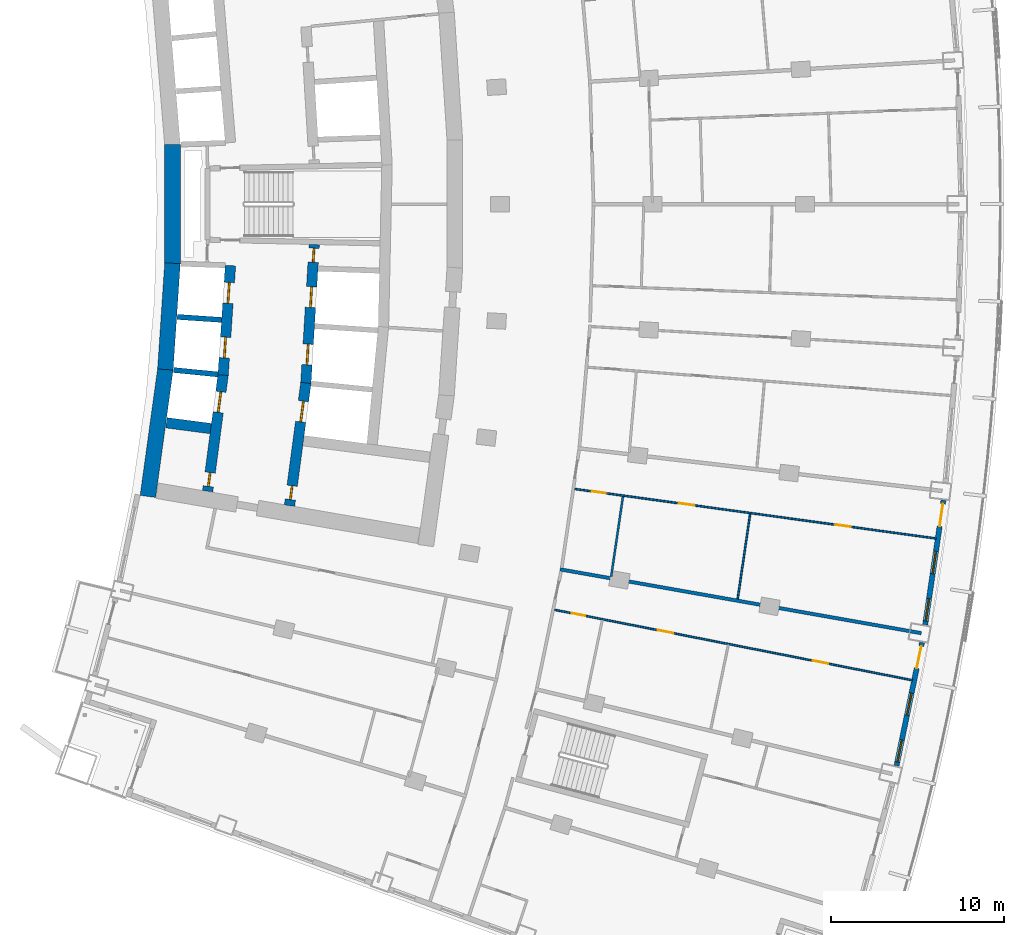
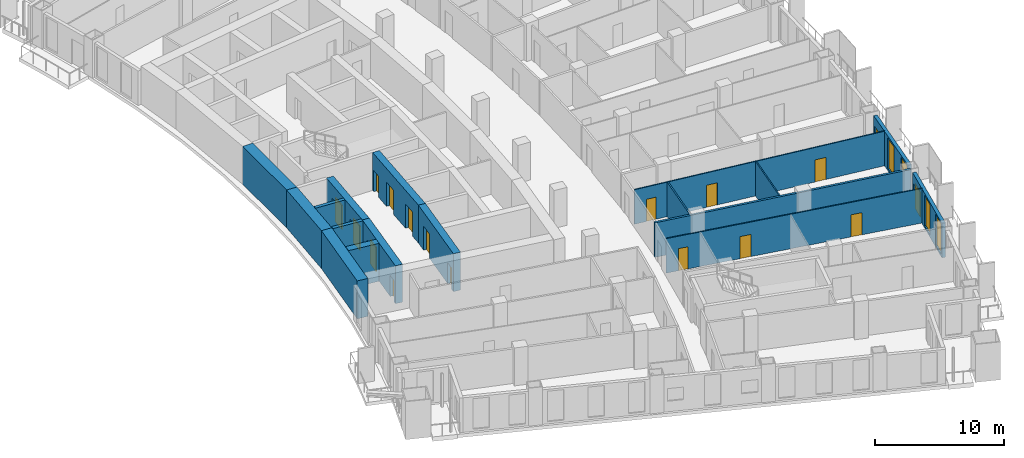
# One storey, part 15 of 25: 17 doors, 17 walls, 4 windows, 21 openings.
"""IFC4 building model written with IfcOpenShell, lengths in metres."""

from ifc_helpers import new_model, si_unit, direction, frame, frame_2d, origin, place, context, subcontext, project, spatial, rectangle, extrude, material, layer, layer_set, type_object, element, fill, save


model = new_model("IFC4")

# Units and contexts
model_context = context("Model", 3, precision=1e-05, world=origin(), true_north=direction((0.0, 1.0)))
body_context = subcontext(model_context, "Body", "Model", "MODEL_VIEW")
ifc_project = project(units=[si_unit("LENGTHUNIT", "METRE"), si_unit("AREAUNIT", "SQUARE_METRE"), si_unit("VOLUMEUNIT", "CUBIC_METRE"), si_unit("PLANEANGLEUNIT", "RADIAN"), si_unit("MASSUNIT", "GRAM", prefix="KILO")], contexts=[model_context])

# Site, building, storey
site_placement = place(None, origin())
site = spatial("IfcSite", under=ifc_project, at=site_placement, CompositionType="ELEMENT")
building_placement = place(site_placement, origin())
building = spatial("IfcBuilding", under=site, at=building_placement, Name="Alderwake Tower", CompositionType="ELEMENT")
storey_placement = place(building_placement, frame((0.0, 0.0, 68.0)))
storey = spatial("IfcBuildingStorey", under=building, at=storey_placement, Name="L16", CompositionType="ELEMENT", Elevation=68.0)

# Walls
ifc_material_1 = material(Name="Concrete C70/85", Category="concrete")
ifc_layer_1 = layer(ifc_material_1, 0.89990234375)
ifc_layer_set_1 = layer_set([ifc_layer_1], Name="Core wall outer 900 C70-85")
wall_type_1 = type_object("IfcWallType", Name="Core wall outer 900 C70-85", PredefinedType="SHEAR", material=ifc_layer_set_1)
wall_1_placement = place(storey_placement, frame((15.46923828125, 44.1201171875, 0.0), z_axis=(0.0, 0.0, 1.0), x_axis=(0.136337234661, 0.990662484626, 0.0)))
element("IfcWall", 1, at=wall_1_placement, inside=storey, type_object=wall_type_1, Name="Core wall CW.042", PredefinedType="SHEAR", context=body_context, shape_type="SweptSolid", body=[
    extrude(rectangle(XDim=7.431396484375, YDim=0.89990234375, at=frame_2d((3.7158203125, 0.0))), origin(), (0.0, 0.0, 1.0), 3.60009765625),
])
wall_2_placement = place(storey_placement, frame((16.47900390625, 51.449951171875, 0.0), z_axis=(0.0, 0.0, 1.0), x_axis=(0.06689316208, 0.997760143956, 0.0)))
element("IfcWall", 2, at=wall_2_placement, inside=storey, type_object=wall_type_1, Name="Core wall CW.041", PredefinedType="SHEAR", context=body_context, shape_type="SweptSolid", body=[
    extrude(rectangle(XDim=6.149658203125, YDim=0.89990234375, at=frame_2d((3.07470703125, 0.0))), origin(), (0.0, 0.0, 1.0), 3.60009765625),
])
wall_3_placement = place(storey_placement, frame((16.889404296875, 57.5546875, 0.0), z_axis=(0.0, 0.0, 1.0), x_axis=(0.0, 1.0, 0.0)))
element("IfcWall", 3, at=wall_3_placement, inside=storey, type_object=wall_type_1, Name="Core wall CW.043", PredefinedType="SHEAR", context=body_context, shape_type="SweptSolid", body=[
    extrude(rectangle(XDim=6.89404296875, YDim=0.89990234375, at=frame_2d((3.447021484375, 0.0))), origin(), (0.0, 0.0, 1.0), 3.60009765625),
])
ifc_material_2 = material(Name="Concrete C70/85", Category="concrete")
ifc_layer_2 = layer(ifc_material_2, 0.300048828125)
ifc_layer_set_2 = layer_set([ifc_layer_2], Name="Core wall shaft 300 C70-85")
wall_type_2 = type_object("IfcWallType", Name="Core wall shaft 300 C70-85", PredefinedType="SHEAR", material=ifc_layer_set_2)
wall_4_placement = place(storey_placement, frame((16.9580078125, 51.4189453125, 0.0), z_axis=(0.0, 0.0, 1.0), x_axis=(0.995153154577, -0.098337169657, 0.0)))
element("IfcWall", 4, at=wall_4_placement, inside=storey, type_object=wall_type_2, Name="Core wall CW.065", PredefinedType="SHEAR", context=body_context, shape_type="SweptSolid", body=[
    extrude(rectangle(XDim=2.569580078125, YDim=0.300048828125, at=frame_2d((1.28466796875, 0.0))), origin(), (0.0, 0.0, 1.0), 3.60009765625),
])
wall_5_placement = place(storey_placement, frame((17.16357421875, 54.486083984375, 0.0), z_axis=(0.0, 0.0, 1.0), x_axis=(0.997758581961, -0.066916456292, 0.0)))
element("IfcWall", 5, at=wall_5_placement, inside=storey, type_object=wall_type_2, Name="Core wall CW.079", PredefinedType="SHEAR", context=body_context, shape_type="SweptSolid", body=[
    extrude(rectangle(XDim=2.568603515625, YDim=0.300048828125, at=frame_2d((1.2841796875, 0.0))), origin(), (0.0, 0.0, 1.0), 3.60009765625),
])

# Wall, openings, doors
ifc_material_3 = material(Name="Concrete C70/85", Category="concrete")
ifc_layer_3 = layer(ifc_material_3, 0.60009765625)
ifc_layer_set_3 = layer_set([ifc_layer_3], Name="Core wall spine 600 C70-85")
wall_type_3 = type_object("IfcWallType", Name="Core wall spine 600 C70-85", PredefinedType="SHEAR", material=ifc_layer_set_3)
wall_6_placement = place(storey_placement, frame((19.815185546875, 51.14697265625, 0.0), z_axis=(0.0, 0.0, 1.0), x_axis=(-0.131854836214, -0.991269036219, 0.0)))
wall_6 = element("IfcWall", 6, at=wall_6_placement, inside=storey, type_object=wall_type_3, Name="Core wall CW.033", PredefinedType="SHEAR", context=body_context, shape_type="SweptSolid", body=[
    extrude(rectangle(XDim=6.782470703125, YDim=0.60009765625, at=frame_2d((3.39111328125, 0.0))), origin(), (0.0, 0.0, 1.0), 3.60009765625),
])
opening_1_placement = place(wall_6_placement, frame((0.9921875, 0.0, 0.0)))
opening_1 = element("IfcOpeningElement", 7, at=opening_1_placement, cuts=wall_6, Name="Opening LD-LP1", PredefinedType="OPENING", context=body_context, shape_type="SweptSolid", body=[
    extrude(rectangle(XDim=1.199951171875, YDim=2.300048828125, at=frame_2d((0.60009765625, 1.14990234375))), frame((0.0, 0.31005859375, 0.0), z_axis=(0.0, -1.0, 0.0), x_axis=(1.0, 0.0, 0.0)), (0.0, 0.0, 1.0), 0.6201171875),
])
opening_2_placement = place(wall_6_placement, frame((5.699951171875, 0.0, 0.0)))
opening_2 = element("IfcOpeningElement", 8, at=opening_2_placement, cuts=wall_6, Name="Opening C007", PredefinedType="OPENING", context=body_context, shape_type="SweptSolid", body=[
    extrude(rectangle(XDim=0.800048828125, YDim=2.0, at=frame_2d((0.39990234375, 1.0))), frame((0.0, 0.31005859375, 0.0), z_axis=(0.0, -1.0, 0.0), x_axis=(1.0, 0.0, 0.0)), (0.0, 0.0, 1.0), 0.6201171875),
])
ifc_material_4 = material(Name="Stainless steel sliding leaf", Category="steel")
door_type_1 = type_object("IfcDoorType", Name="Lift landing door 1200", OperationType="SLIDING_TO_LEFT", PredefinedType="DOOR", material=ifc_material_4)
door_1_placement = place(opening_1_placement, origin())
door_1 = element("IfcDoor", 9, at=door_1_placement, inside=storey, type_object=door_type_1, Name="Lift landing door LP1", OperationType="SLIDING_TO_LEFT", OverallHeight=2.300048828125, OverallWidth=1.199951171875, PredefinedType="DOOR", context=body_context, shape_type="SweptSolid", body=[
    extrude(rectangle(XDim=1.199951171875, YDim=2.300048828125, at=frame_2d((0.60009765625, 1.14990234375))), frame((0.0, 0.050048828125, 0.0), z_axis=(0.0, -1.0, 0.0), x_axis=(1.0, 0.0, 0.0)), (0.0, 0.0, 1.0), 0.10009765625),
])
fill(opening_1, door_1)
ifc_material_5 = material(Name="Painted steel leaf, rated", Category="steel")
door_type_2 = type_object("IfcDoorType", Name="Riser access door 800", OperationType="SINGLE_SWING_LEFT", PredefinedType="DOOR", material=ifc_material_5)
door_2_placement = place(opening_2_placement, origin())
door_2 = element("IfcDoor", 10, at=door_2_placement, inside=storey, type_object=door_type_2, Name="Riser access door", OperationType="SINGLE_SWING_LEFT", OverallHeight=2.0, OverallWidth=0.800048828125, PredefinedType="DOOR", context=body_context, shape_type="SweptSolid", body=[
    extrude(rectangle(XDim=0.800048828125, YDim=2.0, at=frame_2d((0.39990234375, 1.0))), frame((0.0, 0.050048828125, 0.0), z_axis=(0.0, -1.0, 0.0), x_axis=(1.0, 0.0, 0.0)), (0.0, 0.0, 1.0), 0.10009765625),
])
fill(opening_2, door_2)

wall_7_placement = place(storey_placement, frame((19.813232421875, 51.12646484375, 0.0), z_axis=(0.0, 0.0, 1.0), x_axis=(0.066892179723, 0.997760209816, 0.0)))
wall_7 = element("IfcWall", 11, at=wall_7_placement, inside=storey, type_object=wall_type_3, Name="Core wall CW.032", PredefinedType="SHEAR", context=body_context, shape_type="SweptSolid", body=[
    extrude(rectangle(XDim=6.339599609375, YDim=0.60009765625, at=frame_2d((3.169921875, 0.0))), origin(), (0.0, 0.0, 1.0), 3.60009765625),
])
opening_3_placement = place(wall_7_placement, frame((0.992431640625, 0.0, 0.0)))
opening_3 = element("IfcOpeningElement", 12, at=opening_3_placement, cuts=wall_7, Name="Opening LD-LP2", PredefinedType="OPENING", context=body_context, shape_type="SweptSolid", body=[
    extrude(rectangle(XDim=1.199951171875, YDim=2.300048828125, at=frame_2d((0.60009765625, 1.14990234375))), frame((0.0, 0.31005859375, 0.0), z_axis=(0.0, -1.0, 0.0), x_axis=(1.0, 0.0, 0.0)), (0.0, 0.0, 1.0), 0.6201171875),
])
opening_4_placement = place(wall_7_placement, frame((4.157470703125, 0.0, 0.0)))
opening_4 = element("IfcOpeningElement", 13, at=opening_4_placement, cuts=wall_7, Name="Opening LD-LP3", PredefinedType="OPENING", context=body_context, shape_type="SweptSolid", body=[
    extrude(rectangle(XDim=1.199951171875, YDim=2.300048828125, at=frame_2d((0.60009765625, 1.14990234375))), frame((0.0, 0.31005859375, 0.0), z_axis=(0.0, -1.0, 0.0), x_axis=(1.0, 0.0, 0.0)), (0.0, 0.0, 1.0), 0.6201171875),
])
door_3_placement = place(opening_3_placement, origin())
door_3 = element("IfcDoor", 14, at=door_3_placement, inside=storey, type_object=door_type_1, Name="Lift landing door LP2", OperationType="SLIDING_TO_LEFT", OverallHeight=2.300048828125, OverallWidth=1.199951171875, PredefinedType="DOOR", context=body_context, shape_type="SweptSolid", body=[
    extrude(rectangle(XDim=1.199951171875, YDim=2.300048828125, at=frame_2d((0.60009765625, 1.14990234375))), frame((0.0, 0.050048828125, 0.0), z_axis=(0.0, -1.0, 0.0), x_axis=(1.0, 0.0, 0.0)), (0.0, 0.0, 1.0), 0.10009765625),
])
fill(opening_3, door_3)
door_4_placement = place(opening_4_placement, origin())
door_4 = element("IfcDoor", 15, at=door_4_placement, inside=storey, type_object=door_type_1, Name="Lift landing door LP3", OperationType="SLIDING_TO_LEFT", OverallHeight=2.300048828125, OverallWidth=1.199951171875, PredefinedType="DOOR", context=body_context, shape_type="SweptSolid", body=[
    extrude(rectangle(XDim=1.199951171875, YDim=2.300048828125, at=frame_2d((0.60009765625, 1.14990234375))), frame((0.0, 0.050048828125, 0.0), z_axis=(0.0, -1.0, 0.0), x_axis=(1.0, 0.0, 0.0)), (0.0, 0.0, 1.0), 0.10009765625),
])
fill(opening_4, door_4)

wall_8_placement = place(storey_placement, frame((23.647705078125, 43.588134765625, 0.0), z_axis=(0.0, 0.0, 1.0), x_axis=(0.132069785658, 0.991240420744, 0.0)))
wall_8 = element("IfcWall", 16, at=wall_8_placement, inside=storey, type_object=wall_type_3, Name="Core wall CW.047", PredefinedType="SHEAR", context=body_context, shape_type="SweptSolid", body=[
    extrude(rectangle(XDim=7.150390625, YDim=0.60009765625, at=frame_2d((3.5751953125, 0.0))), origin(), (0.0, 0.0, 1.0), 3.60009765625),
])
opening_5_placement = place(wall_8_placement, frame((4.88134765625, 0.0, 0.0)))
opening_5 = element("IfcOpeningElement", 17, at=opening_5_placement, cuts=wall_8, Name="Opening LD-LP4", PredefinedType="OPENING", context=body_context, shape_type="SweptSolid", body=[
    extrude(rectangle(XDim=1.199951171875, YDim=2.300048828125, at=frame_2d((0.60009765625, 1.14990234375))), frame((0.0, 0.31005859375, 0.0), z_axis=(0.0, -1.0, 0.0), x_axis=(1.0, 0.0, 0.0)), (0.0, 0.0, 1.0), 0.6201171875),
])
opening_6_placement = place(wall_8_placement, frame((0.35791015625, 0.0, 0.0)))
opening_6 = element("IfcOpeningElement", 18, at=opening_6_placement, cuts=wall_8, Name="Opening C014", PredefinedType="OPENING", context=body_context, shape_type="SweptSolid", body=[
    extrude(rectangle(XDim=0.800048828125, YDim=2.0, at=frame_2d((0.39990234375, 1.0))), frame((0.0, 0.31005859375, 0.0), z_axis=(0.0, -1.0, 0.0), x_axis=(1.0, 0.0, 0.0)), (0.0, 0.0, 1.0), 0.6201171875),
])
door_5_placement = place(opening_5_placement, origin())
door_5 = element("IfcDoor", 19, at=door_5_placement, inside=storey, type_object=door_type_1, Name="Lift landing door LP4", OperationType="SLIDING_TO_LEFT", OverallHeight=2.300048828125, OverallWidth=1.199951171875, PredefinedType="DOOR", context=body_context, shape_type="SweptSolid", body=[
    extrude(rectangle(XDim=1.199951171875, YDim=2.300048828125, at=frame_2d((0.60009765625, 1.14990234375))), frame((0.0, 0.050048828125, 0.0), z_axis=(0.0, -1.0, 0.0), x_axis=(1.0, 0.0, 0.0)), (0.0, 0.0, 1.0), 0.10009765625),
])
fill(opening_5, door_5)
door_6_placement = place(opening_6_placement, origin())
door_6 = element("IfcDoor", 20, at=door_6_placement, inside=storey, type_object=door_type_2, Name="Riser access door", OperationType="SINGLE_SWING_RIGHT", OverallHeight=2.0, OverallWidth=0.800048828125, PredefinedType="DOOR", context=body_context, shape_type="SweptSolid", body=[
    extrude(rectangle(XDim=0.800048828125, YDim=2.0, at=frame_2d((0.39990234375, 1.0))), frame((0.0, 0.050048828125, 0.0), z_axis=(0.0, -1.0, 0.0), x_axis=(1.0, 0.0, 0.0)), (0.0, 0.0, 1.0), 0.10009765625),
])
fill(opening_6, door_6)

wall_9_placement = place(storey_placement, frame((24.58984375, 50.6533203125, 0.0), z_axis=(0.0, 0.0, 1.0), x_axis=(0.060323309079, 0.998178890972, 0.0)))
wall_9 = element("IfcWall", 21, at=wall_9_placement, inside=storey, type_object=wall_type_3, Name="Core wall CW.046", PredefinedType="SHEAR", context=body_context, shape_type="SweptSolid", body=[
    extrude(rectangle(XDim=8.025634765625, YDim=0.60009765625, at=frame_2d((4.0126953125, 0.0))), origin(), (0.0, 0.0, 1.0), 3.60009765625),
])
opening_7_placement = place(wall_9_placement, frame((1.06884765625, 0.0, 0.0)))
opening_7 = element("IfcOpeningElement", 22, at=opening_7_placement, cuts=wall_9, Name="Opening LD-LP5", PredefinedType="OPENING", context=body_context, shape_type="SweptSolid", body=[
    extrude(rectangle(XDim=1.199951171875, YDim=2.300048828125, at=frame_2d((0.60009765625, 1.14990234375))), frame((0.0, 0.31005859375, 0.0), z_axis=(0.0, -1.0, 0.0), x_axis=(1.0, 0.0, 0.0)), (0.0, 0.0, 1.0), 0.6201171875),
])
opening_8_placement = place(wall_9_placement, frame((4.38525390625, 0.0, 0.0)))
opening_8 = element("IfcOpeningElement", 23, at=opening_8_placement, cuts=wall_9, Name="Opening LD-LP6", PredefinedType="OPENING", context=body_context, shape_type="SweptSolid", body=[
    extrude(rectangle(XDim=1.199951171875, YDim=2.300048828125, at=frame_2d((0.60009765625, 1.14990234375))), frame((0.0, 0.31005859375, 0.0), z_axis=(0.0, -1.0, 0.0), x_axis=(1.0, 0.0, 0.0)), (0.0, 0.0, 1.0), 0.6201171875),
])
opening_9_placement = place(wall_9_placement, frame((7.009521484375, 0.0, 0.0)))
opening_9 = element("IfcOpeningElement", 24, at=opening_9_placement, cuts=wall_9, Name="Opening C006", PredefinedType="OPENING", context=body_context, shape_type="SweptSolid", body=[
    extrude(rectangle(XDim=0.800048828125, YDim=2.0, at=frame_2d((0.39990234375, 1.0))), frame((0.0, 0.31005859375, 0.0), z_axis=(0.0, -1.0, 0.0), x_axis=(1.0, 0.0, 0.0)), (0.0, 0.0, 1.0), 0.6201171875),
])
door_7_placement = place(opening_7_placement, origin())
door_7 = element("IfcDoor", 25, at=door_7_placement, inside=storey, type_object=door_type_1, Name="Lift landing door LP5", OperationType="SLIDING_TO_LEFT", OverallHeight=2.300048828125, OverallWidth=1.199951171875, PredefinedType="DOOR", context=body_context, shape_type="SweptSolid", body=[
    extrude(rectangle(XDim=1.199951171875, YDim=2.300048828125, at=frame_2d((0.60009765625, 1.14990234375))), frame((0.0, 0.050048828125, 0.0), z_axis=(0.0, -1.0, 0.0), x_axis=(1.0, 0.0, 0.0)), (0.0, 0.0, 1.0), 0.10009765625),
])
fill(opening_7, door_7)
door_8_placement = place(opening_8_placement, origin())
door_8 = element("IfcDoor", 26, at=door_8_placement, inside=storey, type_object=door_type_1, Name="Lift landing door LP6", OperationType="SLIDING_TO_LEFT", OverallHeight=2.300048828125, OverallWidth=1.199951171875, PredefinedType="DOOR", context=body_context, shape_type="SweptSolid", body=[
    extrude(rectangle(XDim=1.199951171875, YDim=2.300048828125, at=frame_2d((0.60009765625, 1.14990234375))), frame((0.0, 0.050048828125, 0.0), z_axis=(0.0, -1.0, 0.0), x_axis=(1.0, 0.0, 0.0)), (0.0, 0.0, 1.0), 0.10009765625),
])
fill(opening_8, door_8)
door_9_placement = place(opening_9_placement, origin())
door_9 = element("IfcDoor", 27, at=door_9_placement, inside=storey, type_object=door_type_2, Name="Riser access door", OperationType="SINGLE_SWING_RIGHT", OverallHeight=2.0, OverallWidth=0.800048828125, PredefinedType="DOOR", context=body_context, shape_type="SweptSolid", body=[
    extrude(rectangle(XDim=0.800048828125, YDim=2.0, at=frame_2d((0.39990234375, 1.0))), frame((0.0, 0.050048828125, 0.0), z_axis=(0.0, -1.0, 0.0), x_axis=(1.0, 0.0, 0.0)), (0.0, 0.0, 1.0), 0.10009765625),
])
fill(opening_9, door_9)

# Wall
wall_10_placement = place(storey_placement, frame((16.5390625, 48.373291015625, 0.0), z_axis=(0.0, 0.0, 1.0), x_axis=(0.99156081818, -0.129642369037, 0.0)))
element("IfcWall", 28, at=wall_10_placement, inside=storey, type_object=wall_type_3, Name="Core wall CW.067", PredefinedType="SHEAR", context=body_context, shape_type="SweptSolid", body=[
    extrude(rectangle(XDim=2.581787109375, YDim=0.60009765625, at=frame_2d((1.291015625, 0.0))), origin(), (0.0, 0.0, 1.0), 3.60009765625),
])

# Wall, openings, door, windows
ifc_material_6 = material(Name="Precast concrete C50/60 spandrel panel", Category="concrete")
ifc_layer_4 = layer(ifc_material_6, 0.300048828125)
ifc_layer_set_4 = layer_set([ifc_layer_4], Name="External wall EW1 Precast concrete C50/60 spandrel")
wall_type_4 = type_object("IfcWallType", Name="External wall EW1 Precast concrete C50/60 spandrel", PredefinedType="SOLIDWALL", material=ifc_layer_set_4)
wall_11_placement = place(storey_placement, frame((58.696044921875, 28.576171875, 0.0), z_axis=(0.0, 0.0, 1.0), x_axis=(0.20276685811, 0.97922704275, 0.0)))
wall_11 = element("IfcWall", 29, at=wall_11_placement, inside=storey, type_object=wall_type_4, Name="External wall 13", PredefinedType="SOLIDWALL", context=body_context, shape_type="SweptSolid", body=[
    extrude(rectangle(XDim=7.25927734375, YDim=0.300048828125, at=frame_2d((3.629638671875, 0.0))), origin(), (0.0, 0.0, 1.0), 3.280029296875),
])
opening_10_placement = place(wall_11_placement, frame((0.215087890625, 0.0, 0.199951171875)))
opening_10 = element("IfcOpeningElement", 30, at=opening_10_placement, cuts=wall_11, Name="Opening W1", PredefinedType="OPENING", context=body_context, shape_type="SweptSolid", body=[
    extrude(rectangle(XDim=1.300048828125, YDim=2.89990234375, at=frame_2d((0.64990234375, 1.449951171875))), frame((0.0, 0.159912109375, 0.0), z_axis=(0.0, -1.0, 0.0), x_axis=(1.0, 0.0, 0.0)), (0.0, 0.0, 1.0), 0.320068359375),
])
opening_11_placement = place(wall_11_placement, frame((2.9794921875, 0.0, 0.199951171875)))
opening_11 = element("IfcOpeningElement", 31, at=opening_11_placement, cuts=wall_11, Name="Opening W1", PredefinedType="OPENING", context=body_context, shape_type="SweptSolid", body=[
    extrude(rectangle(XDim=1.300048828125, YDim=2.89990234375, at=frame_2d((0.64990234375, 1.449951171875))), frame((0.0, 0.159912109375, 0.0), z_axis=(0.0, -1.0, 0.0), x_axis=(1.0, 0.0, 0.0)), (0.0, 0.0, 1.0), 0.320068359375),
])
opening_12_placement = place(wall_11_placement, frame((5.744140625, 0.0, 0.0)))
opening_12 = element("IfcOpeningElement", 32, at=opening_12_placement, cuts=wall_11, Name="Opening D04", PredefinedType="OPENING", context=body_context, shape_type="SweptSolid", body=[
    extrude(rectangle(XDim=1.300048828125, YDim=2.39990234375, at=frame_2d((0.64990234375, 1.199951171875))), frame((0.0, 0.159912109375, 0.0), z_axis=(0.0, -1.0, 0.0), x_axis=(1.0, 0.0, 0.0)), (0.0, 0.0, 1.0), 0.320068359375),
])
ifc_material_7 = material(Name="Bronze tinted glass in aluminium frame", Category="aluminium")
door_type_3 = type_object("IfcDoorType", Name="Balcony door BD sliding", OperationType="SLIDING_TO_LEFT", PredefinedType="DOOR", material=ifc_material_7)
door_10_placement = place(opening_12_placement, origin())
door_10 = element("IfcDoor", 33, at=door_10_placement, inside=storey, type_object=door_type_3, Name="Door D04", OperationType="SLIDING_TO_LEFT", OverallHeight=2.39990234375, OverallWidth=1.300048828125, PredefinedType="DOOR", context=body_context, shape_type="SweptSolid", body=[
    extrude(rectangle(XDim=1.300048828125, YDim=2.39990234375, at=frame_2d((0.64990234375, 1.199951171875))), frame((0.0, 0.02490234375, 0.0), z_axis=(0.0, -1.0, 0.0), x_axis=(1.0, 0.0, 0.0)), (0.0, 0.0, 1.0), 0.050048828125),
])
fill(opening_12, door_10)
ifc_material_8 = material(Name="Bronze tinted glass in aluminium frame", Category="aluminium")
window_type = type_object("IfcWindowType", Name="Window W1 tall fixed and vent", PartitioningType="DOUBLE_PANEL_VERTICAL", PredefinedType="WINDOW", material=ifc_material_8)
window_1_placement = place(opening_10_placement, origin())
window_1 = element("IfcWindow", 34, at=window_1_placement, inside=storey, type_object=window_type, Name="Window W1 tall fixed and vent", OverallHeight=2.89990234375, OverallWidth=1.300048828125, PartitioningType="DOUBLE_PANEL_VERTICAL", PredefinedType="WINDOW", context=body_context, shape_type="SweptSolid", body=[
    extrude(rectangle(XDim=1.300048828125, YDim=2.89990234375, at=frame_2d((0.64990234375, 1.449951171875))), frame((0.0, 0.030029296875, 0.0), z_axis=(0.0, -1.0, 0.0), x_axis=(1.0, 0.0, 0.0)), (0.0, 0.0, 1.0), 0.06005859375),
])
fill(opening_10, window_1)
window_2_placement = place(opening_11_placement, origin())
window_2 = element("IfcWindow", 35, at=window_2_placement, inside=storey, type_object=window_type, Name="Window W1 tall fixed and vent", OverallHeight=2.89990234375, OverallWidth=1.300048828125, PartitioningType="DOUBLE_PANEL_VERTICAL", PredefinedType="WINDOW", context=body_context, shape_type="SweptSolid", body=[
    extrude(rectangle(XDim=1.300048828125, YDim=2.89990234375, at=frame_2d((0.64990234375, 1.449951171875))), frame((0.0, 0.030029296875, 0.0), z_axis=(0.0, -1.0, 0.0), x_axis=(1.0, 0.0, 0.0)), (0.0, 0.0, 1.0), 0.06005859375),
])
fill(opening_11, window_2)

wall_12_placement = place(storey_placement, frame((60.3505859375, 36.71728515625, 0.0), z_axis=(0.0, 0.0, 1.0), x_axis=(0.145323578953, 0.989384180892, 0.0)))
wall_12 = element("IfcWall", 36, at=wall_12_placement, inside=storey, type_object=wall_type_4, Name="External wall 14", PredefinedType="SOLIDWALL", context=body_context, shape_type="SweptSolid", body=[
    extrude(rectangle(XDim=7.25927734375, YDim=0.300048828125, at=frame_2d((3.629638671875, 0.0))), origin(), (0.0, 0.0, 1.0), 3.280029296875),
])
opening_13_placement = place(wall_12_placement, frame((0.215087890625, 0.0, 0.199951171875)))
opening_13 = element("IfcOpeningElement", 37, at=opening_13_placement, cuts=wall_12, Name="Opening W1", PredefinedType="OPENING", context=body_context, shape_type="SweptSolid", body=[
    extrude(rectangle(XDim=1.300048828125, YDim=2.89990234375, at=frame_2d((0.64990234375, 1.449951171875))), frame((0.0, 0.159912109375, 0.0), z_axis=(0.0, -1.0, 0.0), x_axis=(1.0, 0.0, 0.0)), (0.0, 0.0, 1.0), 0.320068359375),
])
opening_14_placement = place(wall_12_placement, frame((2.9794921875, 0.0, 0.199951171875)))
opening_14 = element("IfcOpeningElement", 38, at=opening_14_placement, cuts=wall_12, Name="Opening W1", PredefinedType="OPENING", context=body_context, shape_type="SweptSolid", body=[
    extrude(rectangle(XDim=1.300048828125, YDim=2.89990234375, at=frame_2d((0.64990234375, 1.449951171875))), frame((0.0, 0.159912109375, 0.0), z_axis=(0.0, -1.0, 0.0), x_axis=(1.0, 0.0, 0.0)), (0.0, 0.0, 1.0), 0.320068359375),
])
opening_15_placement = place(wall_12_placement, frame((5.744140625, 0.0, 0.0)))
opening_15 = element("IfcOpeningElement", 39, at=opening_15_placement, cuts=wall_12, Name="Opening D05", PredefinedType="OPENING", context=body_context, shape_type="SweptSolid", body=[
    extrude(rectangle(XDim=1.300048828125, YDim=2.39990234375, at=frame_2d((0.64990234375, 1.199951171875))), frame((0.0, 0.159912109375, 0.0), z_axis=(0.0, -1.0, 0.0), x_axis=(1.0, 0.0, 0.0)), (0.0, 0.0, 1.0), 0.320068359375),
])
door_11_placement = place(opening_15_placement, origin())
door_11 = element("IfcDoor", 40, at=door_11_placement, inside=storey, type_object=door_type_3, Name="Door D05", OperationType="SLIDING_TO_LEFT", OverallHeight=2.39990234375, OverallWidth=1.300048828125, PredefinedType="DOOR", context=body_context, shape_type="SweptSolid", body=[
    extrude(rectangle(XDim=1.300048828125, YDim=2.39990234375, at=frame_2d((0.64990234375, 1.199951171875))), frame((0.0, 0.02490234375, 0.0), z_axis=(0.0, -1.0, 0.0), x_axis=(1.0, 0.0, 0.0)), (0.0, 0.0, 1.0), 0.050048828125),
])
fill(opening_15, door_11)
window_3_placement = place(opening_13_placement, origin())
window_3 = element("IfcWindow", 41, at=window_3_placement, inside=storey, type_object=window_type, Name="Window W1 tall fixed and vent", OverallHeight=2.89990234375, OverallWidth=1.300048828125, PartitioningType="DOUBLE_PANEL_VERTICAL", PredefinedType="WINDOW", context=body_context, shape_type="SweptSolid", body=[
    extrude(rectangle(XDim=1.300048828125, YDim=2.89990234375, at=frame_2d((0.64990234375, 1.449951171875))), frame((0.0, 0.030029296875, 0.0), z_axis=(0.0, -1.0, 0.0), x_axis=(1.0, 0.0, 0.0)), (0.0, 0.0, 1.0), 0.06005859375),
])
fill(opening_13, window_3)
window_4_placement = place(opening_14_placement, origin())
window_4 = element("IfcWindow", 42, at=window_4_placement, inside=storey, type_object=window_type, Name="Window W1 tall fixed and vent", OverallHeight=2.89990234375, OverallWidth=1.300048828125, PartitioningType="DOUBLE_PANEL_VERTICAL", PredefinedType="WINDOW", context=body_context, shape_type="SweptSolid", body=[
    extrude(rectangle(XDim=1.300048828125, YDim=2.89990234375, at=frame_2d((0.64990234375, 1.449951171875))), frame((0.0, 0.030029296875, 0.0), z_axis=(0.0, -1.0, 0.0), x_axis=(1.0, 0.0, 0.0)), (0.0, 0.0, 1.0), 0.06005859375),
])
fill(opening_14, window_4)

# Wall
ifc_material_9 = material(Name="Dense block masonry wall", Category="masonry")
ifc_layer_5 = layer(ifc_material_9, 0.199951171875)
ifc_layer_set_5 = layer_set([ifc_layer_5], Name="Party wall 200")
wall_type_5 = type_object("IfcWallType", Name="Party wall 200", PredefinedType="SOLIDWALL", material=ifc_layer_set_5)
wall_13_placement = place(storey_placement, frame((60.1259765625, 36.22509765625, 0.0), z_axis=(0.0, 0.0, 1.0), x_axis=(-0.984741522194, 0.174023373334, 0.0)))
element("IfcWall", 43, at=wall_13_placement, inside=storey, type_object=wall_type_5, Name="WL/L16/W10", PredefinedType="SOLIDWALL", context=body_context, shape_type="SweptSolid", body=[
    extrude(rectangle(XDim=21.179931640625, YDim=0.199951171875, at=frame_2d((10.58984375, 0.0))), origin(), (0.0, 0.0, 1.0), 3.280029296875),
])

# Wall, openings, doors
ifc_material_10 = material(Name="Gypsum board on metal studs")
ifc_layer_6 = layer(ifc_material_10, 0.10009765625)
ifc_layer_set_6 = layer_set([ifc_layer_6], Name="Unit partition 100")
wall_type_6 = type_object("IfcWallType", Name="Unit partition 100", PredefinedType="PARTITIONING", material=ifc_layer_set_6)
wall_14_placement = place(storey_placement, frame((59.615966796875, 33.507080078125, 0.0), z_axis=(0.0, 0.0, 1.0), x_axis=(-0.981175702379, 0.193117169254, 0.0)))
wall_14 = element("IfcWall", 44, at=wall_14_placement, inside=storey, type_object=wall_type_6, Name="WL/L16/W70", PredefinedType="PARTITIONING", context=body_context, shape_type="SweptSolid", body=[
    extrude(rectangle(XDim=21.06298828125, YDim=0.10009765625, at=frame_2d((10.531494140625, 0.0))), origin(), (0.0, 0.0, 1.0), 3.280029296875),
])
opening_16_placement = place(wall_14_placement, frame((14.087158203125, 0.0, 0.0)))
opening_16 = element("IfcOpeningElement", 45, at=opening_16_placement, cuts=wall_14, Name="Opening R04-U05.1", PredefinedType="OPENING", context=body_context, shape_type="SweptSolid", body=[
    extrude(rectangle(XDim=0.89990234375, YDim=2.10009765625, at=frame_2d((0.449951171875, 1.050048828125))), frame((0.0, 0.06005859375, 0.0), z_axis=(0.0, -1.0, 0.0), x_axis=(1.0, 0.0, 0.0)), (0.0, 0.0, 1.0), 0.1201171875),
])
opening_17_placement = place(wall_14_placement, frame((19.25341796875, 0.0, 0.0)))
opening_17 = element("IfcOpeningElement", 46, at=opening_17_placement, cuts=wall_14, Name="Opening R04-U05.3", PredefinedType="OPENING", context=body_context, shape_type="SweptSolid", body=[
    extrude(rectangle(XDim=0.800048828125, YDim=2.10009765625, at=frame_2d((0.39990234375, 1.050048828125))), frame((0.0, 0.06005859375, 0.0), z_axis=(0.0, -1.0, 0.0), x_axis=(1.0, 0.0, 0.0)), (0.0, 0.0, 1.0), 0.1201171875),
])
opening_18_placement = place(wall_14_placement, frame((4.96533203125, 0.0, 0.0)))
opening_18 = element("IfcOpeningElement", 47, at=opening_18_placement, cuts=wall_14, Name="Opening R04-U05.4", PredefinedType="OPENING", context=body_context, shape_type="SweptSolid", body=[
    extrude(rectangle(XDim=0.89990234375, YDim=2.10009765625, at=frame_2d((0.449951171875, 1.050048828125))), frame((0.0, 0.06005859375, 0.0), z_axis=(0.0, -1.0, 0.0), x_axis=(1.0, 0.0, 0.0)), (0.0, 0.0, 1.0), 0.1201171875),
])
ifc_material_11 = material(Name="Painted timber leaf", Category="wood")
door_type_4 = type_object("IfcDoorType", Name="Bathroom door 800", OperationType="SINGLE_SWING_LEFT", PredefinedType="DOOR", material=ifc_material_11)
door_12_placement = place(opening_17_placement, origin())
door_12 = element("IfcDoor", 48, at=door_12_placement, inside=storey, type_object=door_type_4, Name="DR/L16/U05.3", OperationType="SINGLE_SWING_LEFT", OverallHeight=2.10009765625, OverallWidth=0.800048828125, PredefinedType="DOOR", context=body_context, shape_type="SweptSolid", body=[
    extrude(rectangle(XDim=0.800048828125, YDim=2.10009765625, at=frame_2d((0.39990234375, 1.050048828125))), frame((0.0, 0.02490234375, 0.0), z_axis=(0.0, -1.0, 0.0), x_axis=(1.0, 0.0, 0.0)), (0.0, 0.0, 1.0), 0.050048828125),
])
fill(opening_17, door_12)
ifc_material_12 = material(Name="Painted timber leaf", Category="wood")
door_type_5 = type_object("IfcDoorType", Name="Room door 900", OperationType="SINGLE_SWING_LEFT", PredefinedType="DOOR", material=ifc_material_12)
door_13_placement = place(opening_16_placement, origin())
door_13 = element("IfcDoor", 49, at=door_13_placement, inside=storey, type_object=door_type_5, Name="DR/L16/U05.1", OperationType="SINGLE_SWING_LEFT", OverallHeight=2.10009765625, OverallWidth=0.89990234375, PredefinedType="DOOR", context=body_context, shape_type="SweptSolid", body=[
    extrude(rectangle(XDim=0.89990234375, YDim=2.10009765625, at=frame_2d((0.449951171875, 1.050048828125))), frame((0.0, 0.02490234375, 0.0), z_axis=(0.0, -1.0, 0.0), x_axis=(1.0, 0.0, 0.0)), (0.0, 0.0, 1.0), 0.050048828125),
])
fill(opening_16, door_13)
door_14_placement = place(opening_18_placement, origin())
door_14 = element("IfcDoor", 50, at=door_14_placement, inside=storey, type_object=door_type_5, Name="DR/L16/U05.4", OperationType="SINGLE_SWING_LEFT", OverallHeight=2.10009765625, OverallWidth=0.89990234375, PredefinedType="DOOR", context=body_context, shape_type="SweptSolid", body=[
    extrude(rectangle(XDim=0.89990234375, YDim=2.10009765625, at=frame_2d((0.449951171875, 1.050048828125))), frame((0.0, 0.02490234375, 0.0), z_axis=(0.0, -1.0, 0.0), x_axis=(1.0, 0.0, 0.0)), (0.0, 0.0, 1.0), 0.050048828125),
])
fill(opening_18, door_14)

wall_15_placement = place(storey_placement, frame((60.98095703125, 41.69091796875, 0.0), z_axis=(0.0, 0.0, 1.0), x_axis=(-0.99073682352, 0.13579597388, 0.0)))
wall_15 = element("IfcWall", 51, at=wall_15_placement, inside=storey, type_object=wall_type_6, Name="WL/L16/W71", PredefinedType="PARTITIONING", context=body_context, shape_type="SweptSolid", body=[
    extrude(rectangle(XDim=21.061767578125, YDim=0.10009765625, at=frame_2d((10.53076171875, 0.0))), origin(), (0.0, 0.0, 1.0), 3.280029296875),
])
opening_19_placement = place(wall_15_placement, frame((14.087158203125, 0.0, 0.0)))
opening_19 = element("IfcOpeningElement", 52, at=opening_19_placement, cuts=wall_15, Name="Opening R04-U06.1", PredefinedType="OPENING", context=body_context, shape_type="SweptSolid", body=[
    extrude(rectangle(XDim=0.89990234375, YDim=2.10009765625, at=frame_2d((0.449951171875, 1.050048828125))), frame((0.0, 0.06005859375, 0.0), z_axis=(0.0, -1.0, 0.0), x_axis=(1.0, 0.0, 0.0)), (0.0, 0.0, 1.0), 0.1201171875),
])
opening_20_placement = place(wall_15_placement, frame((19.2529296875, 0.0, 0.0)))
opening_20 = element("IfcOpeningElement", 53, at=opening_20_placement, cuts=wall_15, Name="Opening R04-U06.3", PredefinedType="OPENING", context=body_context, shape_type="SweptSolid", body=[
    extrude(rectangle(XDim=0.800048828125, YDim=2.10009765625, at=frame_2d((0.39990234375, 1.050048828125))), frame((0.0, 0.06005859375, 0.0), z_axis=(0.0, -1.0, 0.0), x_axis=(1.0, 0.0, 0.0)), (0.0, 0.0, 1.0), 0.1201171875),
])
opening_21_placement = place(wall_15_placement, frame((4.96533203125, 0.0, 0.0)))
opening_21 = element("IfcOpeningElement", 54, at=opening_21_placement, cuts=wall_15, Name="Opening R04-U06.4", PredefinedType="OPENING", context=body_context, shape_type="SweptSolid", body=[
    extrude(rectangle(XDim=0.89990234375, YDim=2.10009765625, at=frame_2d((0.449951171875, 1.050048828125))), frame((0.0, 0.06005859375, 0.0), z_axis=(0.0, -1.0, 0.0), x_axis=(1.0, 0.0, 0.0)), (0.0, 0.0, 1.0), 0.1201171875),
])
door_15_placement = place(opening_20_placement, origin())
door_15 = element("IfcDoor", 55, at=door_15_placement, inside=storey, type_object=door_type_4, Name="DR/L16/U06.3", OperationType="SINGLE_SWING_LEFT", OverallHeight=2.10009765625, OverallWidth=0.800048828125, PredefinedType="DOOR", context=body_context, shape_type="SweptSolid", body=[
    extrude(rectangle(XDim=0.800048828125, YDim=2.10009765625, at=frame_2d((0.39990234375, 1.050048828125))), frame((0.0, 0.02490234375, 0.0), z_axis=(0.0, -1.0, 0.0), x_axis=(1.0, 0.0, 0.0)), (0.0, 0.0, 1.0), 0.050048828125),
])
fill(opening_20, door_15)
door_16_placement = place(opening_19_placement, origin())
door_16 = element("IfcDoor", 56, at=door_16_placement, inside=storey, type_object=door_type_5, Name="DR/L16/U06.1", OperationType="SINGLE_SWING_LEFT", OverallHeight=2.10009765625, OverallWidth=0.89990234375, PredefinedType="DOOR", context=body_context, shape_type="SweptSolid", body=[
    extrude(rectangle(XDim=0.89990234375, YDim=2.10009765625, at=frame_2d((0.449951171875, 1.050048828125))), frame((0.0, 0.02490234375, 0.0), z_axis=(0.0, -1.0, 0.0), x_axis=(1.0, 0.0, 0.0)), (0.0, 0.0, 1.0), 0.050048828125),
])
fill(opening_19, door_16)
door_17_placement = place(opening_21_placement, origin())
door_17 = element("IfcDoor", 57, at=door_17_placement, inside=storey, type_object=door_type_5, Name="DR/L16/U06.4", OperationType="SINGLE_SWING_LEFT", OverallHeight=2.10009765625, OverallWidth=0.89990234375, PredefinedType="DOOR", context=body_context, shape_type="SweptSolid", body=[
    extrude(rectangle(XDim=0.89990234375, YDim=2.10009765625, at=frame_2d((0.449951171875, 1.050048828125))), frame((0.0, 0.02490234375, 0.0), z_axis=(0.0, -1.0, 0.0), x_axis=(1.0, 0.0, 0.0)), (0.0, 0.0, 1.0), 0.050048828125),
])
fill(opening_21, door_17)

# Walls
wall_16_placement = place(storey_placement, frame((49.5234375, 38.201904296875, 0.0), z_axis=(0.0, 0.0, 1.0), x_axis=(0.144995379555, 0.989432332152, 0.0)))
element("IfcWall", 58, at=wall_16_placement, inside=storey, type_object=wall_type_6, Name="WL/L16/W81", PredefinedType="PARTITIONING", context=body_context, shape_type="SweptSolid", body=[
    extrude(rectangle(XDim=4.962158203125, YDim=0.10009765625, at=frame_2d((2.48095703125, 0.0))), origin(), (0.0, 0.0, 1.0), 3.280029296875),
])
ifc_material_13 = material(Name="Moisture resistant gypsum board on metal studs")
ifc_layer_7 = layer(ifc_material_13, 0.1201171875)
ifc_layer_set_7 = layer_set([ifc_layer_7], Name="Wet room partition 120")
wall_type_7 = type_object("IfcWallType", Name="Wet room partition 120", PredefinedType="PARTITIONING", material=ifc_layer_set_7)
wall_17_placement = place(storey_placement, frame((42.218505859375, 39.491943359375, 0.0), z_axis=(0.0, 0.0, 1.0), x_axis=(0.145515042, 0.989356039326, 0.0)))
element("IfcWall", 59, at=wall_17_placement, inside=storey, type_object=wall_type_7, Name="WL/L16/W56", PredefinedType="PARTITIONING", context=body_context, shape_type="SweptSolid", body=[
    extrude(rectangle(XDim=4.67431640625, YDim=0.1201171875, at=frame_2d((2.337158203125, 0.0))), origin(), (0.0, 0.0, 1.0), 3.280029296875),
])

save(model, "model.ifc")
